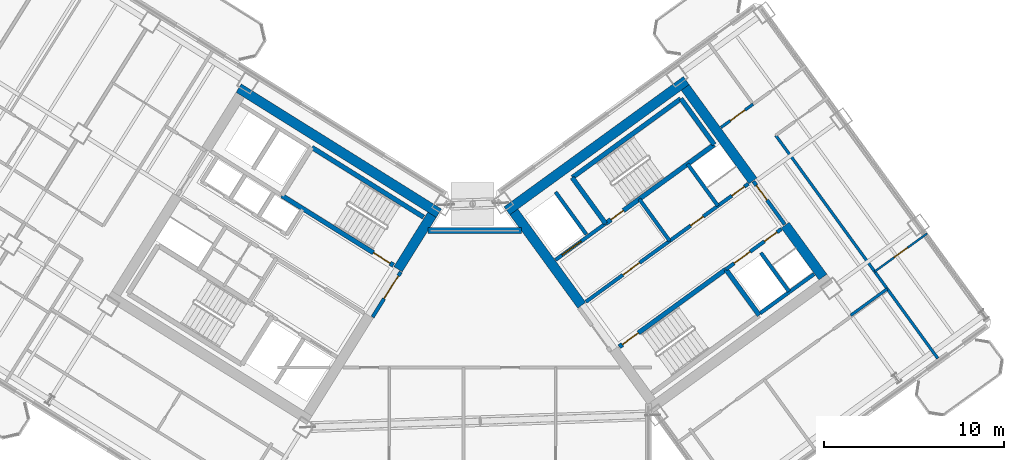
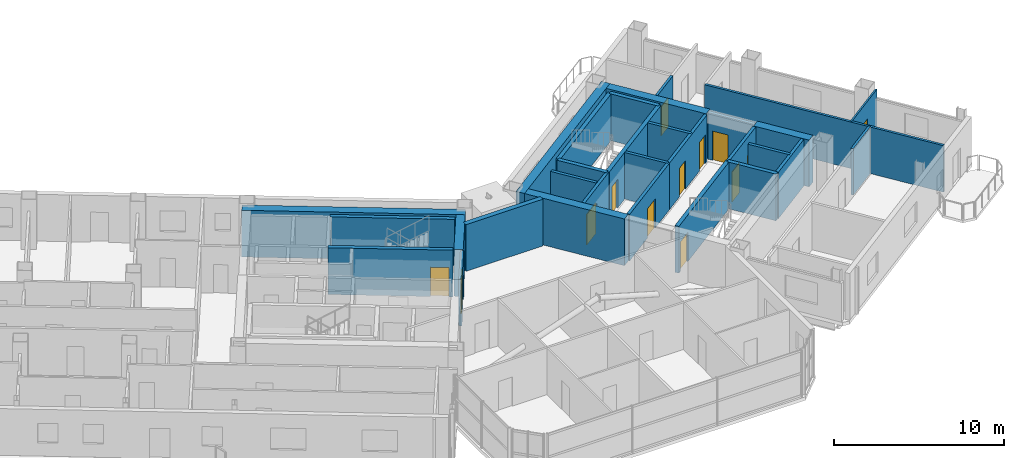
# One storey, part 20 of 29: 30 walls, 13 doors, 13 openings.
"""IFC4 building model written with IfcOpenShell, lengths in metres."""

from ifc_helpers import new_model, si_unit, direction, frame, frame_2d, origin, place, context, subcontext, project, spatial, rectangle, extrude, source, transform, mapped, material, layer, layer_set, type_object, element, fill, save


model = new_model("IFC4")

# Units and contexts
model_context = context("Model", 3, precision=1e-05, world=origin(), true_north=direction((0.0, 1.0)))
body_context = subcontext(model_context, "Body", "Model", "MODEL_VIEW")
ifc_project = project(units=[si_unit("LENGTHUNIT", "METRE"), si_unit("AREAUNIT", "SQUARE_METRE"), si_unit("VOLUMEUNIT", "CUBIC_METRE"), si_unit("PLANEANGLEUNIT", "RADIAN"), si_unit("MASSUNIT", "GRAM", prefix="KILO")], contexts=[model_context])

# Site, building, storey
site_placement = place(None, origin())
site = spatial("IfcSite", under=ifc_project, at=site_placement, CompositionType="ELEMENT")
building_placement = place(site_placement, origin())
building = spatial("IfcBuilding", under=site, at=building_placement, Name="Tlacorven Tower", CompositionType="ELEMENT")
storey_placement = place(building_placement, frame((0.0, 0.0, 151.5)))
storey = spatial("IfcBuildingStorey", under=building, at=storey_placement, Name="L38", CompositionType="ELEMENT", Elevation=151.5)

# Walls
ifc_material_1 = material(Name="Concrete C60/75", Category="concrete")
ifc_layer_1 = layer(ifc_material_1, 0.550048828125)
ifc_layer_set_1 = layer_set([ifc_layer_1], Name="Concrete C60/75")
wall_type_1 = type_object("IfcWallType", Name="WL-COR-550", PredefinedType="SHEAR", material=ifc_layer_set_1)
wall_1_placement = place(storey_placement, frame((40.572998046875, 24.010009765625, 0.0), z_axis=(0.0, 0.0, 1.0), x_axis=(-0.848047359947, 0.529920442413, 0.0)))
element("IfcWall", 1, at=wall_1_placement, inside=storey, type_object=wall_type_1, Name="L38 W core shear wall S1", PredefinedType="SHEAR", context=body_context, shape_type="SweptSolid", body=[
    extrude(rectangle(XDim=13.139892578125, YDim=0.550048828125, at=frame_2d((6.56982421875, 0.0))), origin(), (0.0, 0.0, 1.0), 3.35009765625),
])
wall_2_placement = place(storey_placement, frame((40.194091796875, 23.92236328125, 0.0), z_axis=(0.0, 0.0, 1.0), x_axis=(-0.529888438328, -0.848067357541, 0.0)))
element("IfcWall", 2, at=wall_2_placement, inside=storey, type_object=wall_type_1, Name="L38 W core end wall E1.1", PredefinedType="SHEAR", context=body_context, shape_type="SweptSolid", body=[
    extrude(rectangle(XDim=3.574951171875, YDim=0.550048828125, at=frame_2d((1.78759765625, 0.0))), origin(), (0.0, 0.0, 1.0), 3.35009765625),
])
wall_3_placement = place(storey_placement, frame((44.364990234375, 24.142333984375, 0.0), z_axis=(0.0, 0.0, 1.0), x_axis=(0.809024304885, 0.587775190107, 0.0)))
element("IfcWall", 3, at=wall_3_placement, inside=storey, type_object=wall_type_1, Name="L38 E core shear wall S2", PredefinedType="SHEAR", context=body_context, shape_type="SweptSolid", body=[
    extrude(rectangle(XDim=12.340087890625, YDim=0.550048828125, at=frame_2d((6.169921875, 0.0))), origin(), (0.0, 0.0, 1.0), 3.35009765625),
])
wall_4_placement = place(storey_placement, frame((48.525634765625, 18.883544921875, 0.0), z_axis=(0.0, 0.0, 1.0), x_axis=(-0.587764933797, 0.809031756236, 0.0)))
element("IfcWall", 4, at=wall_4_placement, inside=storey, type_object=wall_type_1, Name="L38 E core end wall E1.2", PredefinedType="SHEAR", context=body_context, shape_type="SweptSolid", body=[
    extrude(rectangle(XDim=6.425048828125, YDim=0.550048828125, at=frame_2d((3.21240234375, 0.0))), origin(), (0.0, 0.0, 1.0), 3.35009765625),
])
wall_5_placement = place(storey_placement, frame((61.9580078125, 20.453857421875, 0.0), z_axis=(0.0, 0.0, 1.0), x_axis=(-0.587802113096, 0.809004744015, 0.0)))
element("IfcWall", 5, at=wall_5_placement, inside=storey, type_object=wall_type_1, Name="L38 E core end wall E2.1", PredefinedType="SHEAR", context=body_context, shape_type="SweptSolid", body=[
    extrude(rectangle(XDim=3.574951171875, YDim=0.550048828125, at=frame_2d((1.78759765625, 0.0))), origin(), (0.0, 0.0, 1.0), 3.35009765625),
])
wall_6_placement = place(storey_placement, frame((58.06396484375, 25.8134765625, 0.0), z_axis=(0.0, 0.0, 1.0), x_axis=(-0.587764933797, 0.809031756236, 0.0)))
element("IfcWall", 6, at=wall_6_placement, inside=storey, type_object=wall_type_1, Name="L38 E core end wall E2.2", PredefinedType="SHEAR", context=body_context, shape_type="SweptSolid", body=[
    extrude(rectangle(XDim=6.425048828125, YDim=0.550048828125, at=frame_2d((3.21240234375, 0.0))), origin(), (0.0, 0.0, 1.0), 3.35009765625),
])
ifc_material_2 = material(Name="Gypsum plasterboard acoustic partition", Category="gypsum")
ifc_layer_2 = layer(ifc_material_2, 0.159912109375)
ifc_layer_set_2 = layer_set([ifc_layer_2], Name="Gypsum plasterboard acoustic partition")
wall_type_2 = type_object("IfcWallType", Name="WL-DEM-160", PredefinedType="PARTITIONING", material=ifc_layer_set_2)
wall_7_placement = place(storey_placement, frame((63.5068359375, 18.322021484375, 0.0), z_axis=(0.0, 0.0, 1.0), x_axis=(0.809034604122, 0.587761013791, 0.0)))
element("IfcWall", 7, at=wall_7_placement, inside=storey, type_object=wall_type_2, Name="L38 partition 86", PredefinedType="PARTITIONING", context=body_context, shape_type="SweptSolid", body=[
    extrude(rectangle(XDim=2.510009765625, YDim=0.159912109375, at=frame_2d((1.2548828125, 0.0))), origin(), (0.0, 0.0, 1.0), 3.340087890625),
])

# Wall, opening, door
wall_8_placement = place(storey_placement, frame((56.280517578125, 28.7822265625, 0.0), z_axis=(0.0, 0.0, 1.0), x_axis=(0.80902286611, 0.587777170458, 0.0)))
wall_8 = element("IfcWall", 8, at=wall_8_placement, inside=storey, type_object=wall_type_2, Name="L38 partition 87", PredefinedType="PARTITIONING", context=body_context, shape_type="SweptSolid", body=[
    extrude(rectangle(XDim=2.2080078125, YDim=0.159912109375, at=frame_2d((1.10400390625, 0.0))), origin(), (0.0, 0.0, 1.0), 3.340087890625),
])
opening_1_placement = place(wall_8_placement, frame((0.64794921875, 0.0, 0.0)))
opening_1 = element("IfcOpeningElement", 9, at=opening_1_placement, cuts=wall_8, Name="Opening D11", PredefinedType="OPENING", context=body_context, shape_type="SweptSolid", body=[
    extrude(rectangle(XDim=1.0, YDim=2.10009765625, at=frame_2d((0.5, 1.050048828125))), frame((0.0, 0.08984375, 0.0), z_axis=(0.0, -1.0, 0.0), x_axis=(1.0, 0.0, 0.0)), (0.0, 0.0, 1.0), 0.179931640625),
])
ifc_material_3 = material(Name="Fire-rated steel door assembly", Category="steel")
door_type_1 = type_object("IfcDoorType", Name="DR-FLT-FD60-1000", OperationType="NOTDEFINED", PredefinedType="DOOR", material=ifc_material_3)
shared_shape_1 = source(origin(), body_context, "Body", "SweptSolid", [
    extrude(rectangle(XDim=1.0, YDim=2.10009765625, at=frame_2d((0.5, 1.050048828125))), frame((0.0, 0.02490234375, 0.0), z_axis=(0.0, -1.0, 0.0), x_axis=(1.0, 0.0, 0.0)), (0.0, 0.0, 1.0), 0.050048828125),
])
door_1_placement = place(opening_1_placement, origin())
door_1 = element("IfcDoor", 10, at=door_1_placement, inside=storey, type_object=door_type_1, Name="L38 door 058", OperationType="SINGLE_SWING_LEFT", OverallHeight=2.10009765625, OverallWidth=1.0, PredefinedType="DOOR", context=body_context, shape_type="MappedRepresentation", body=[
    mapped(shared_shape_1, transform((0.0, 0.0, 0.0), scale=1.0)),
])
fill(opening_1, door_1)

# Walls
wall_9_placement = place(storey_placement, frame((68.35302734375, 15.922119140625, 0.0), z_axis=(0.0, 0.0, 1.0), x_axis=(-0.587782002009, 0.809019355834, 0.0)))
element("IfcWall", 11, at=wall_9_placement, inside=storey, type_object=wall_type_2, Name="L38 partition 88", PredefinedType="PARTITIONING", context=body_context, shape_type="SweptSolid", body=[
    extrude(rectangle(XDim=15.35009765625, YDim=0.159912109375, at=frame_2d((7.675048828125, 0.0))), origin(), (0.0, 0.0, 1.0), 3.340087890625),
])
ifc_material_4 = material(Name="Precast concrete C45/55", Category="concrete")
ifc_layer_3 = layer(ifc_material_4, 0.320068359375)
ifc_layer_set_3 = layer_set([ifc_layer_3], Name="Precast concrete C45/55")
wall_type_3 = type_object("IfcWallType", Name="WL-EXT-320", PredefinedType="STANDARD", material=ifc_layer_set_3)
wall_10_placement = place(storey_placement, frame((39.961181640625, 23.0400390625, 0.0), z_axis=(0.0, 0.0, 1.0), x_axis=(1.0, 0.0, 0.0)))
element("IfcWall", 12, at=wall_10_placement, inside=storey, type_object=wall_type_3, Name="L38 Masonry-Frame Recessed Facade Wall 4", PredefinedType="STANDARD", context=body_context, shape_type="SweptSolid", body=[
    extrude(rectangle(XDim=5.2109375, YDim=0.320068359375, at=frame_2d((2.60546875, 0.0))), origin(), (0.0, 0.0, 1.0), 3.35009765625),
])

# Wall, opening, door
ifc_material_5 = material(Name="Gypsum plasterboard partition", Category="gypsum")
ifc_layer_4 = layer(ifc_material_5, 0.110107421875)
ifc_layer_set_4 = layer_set([ifc_layer_4], Name="Gypsum plasterboard partition")
wall_type_4 = type_object("IfcWallType", Name="WL-INT-110", PredefinedType="PARTITIONING", material=ifc_layer_set_4)
wall_11_placement = place(storey_placement, frame((64.83935546875, 20.758544921875, 0.0), z_axis=(0.0, 0.0, 1.0), x_axis=(0.809013833588, 0.587789602718, 0.0)))
wall_11 = element("IfcWall", 13, at=wall_11_placement, inside=storey, type_object=wall_type_4, Name="L38 partition 93", PredefinedType="PARTITIONING", context=body_context, shape_type="SweptSolid", body=[
    extrude(rectangle(XDim=3.60986328125, YDim=0.110107421875, at=frame_2d((1.804931640625, 0.0))), origin(), (0.0, 0.0, 1.0), 3.340087890625),
])
opening_2_placement = place(wall_11_placement, frame((1.344970703125, 0.0, 0.0)))
opening_2 = element("IfcOpeningElement", 14, at=opening_2_placement, cuts=wall_11, Name="Opening D12", PredefinedType="OPENING", context=body_context, shape_type="SweptSolid", body=[
    extrude(rectangle(XDim=0.919921875, YDim=2.080078125, at=frame_2d((0.4599609375, 1.0400390625))), frame((0.0, 0.06494140625, 0.0), z_axis=(0.0, -1.0, 0.0), x_axis=(1.0, 0.0, 0.0)), (0.0, 0.0, 1.0), 0.130126953125),
])
ifc_material_6 = material(Name="Powder-coated aluminium and timber door", Category="wood")
door_type_2 = type_object("IfcDoorType", Name="DR-INT-ROOM-0920", OperationType="NOTDEFINED", PredefinedType="DOOR", material=ifc_material_6)
shared_shape_2 = source(origin(), body_context, "Body", "SweptSolid", [
    extrude(rectangle(XDim=0.919921875, YDim=2.080078125, at=frame_2d((0.4599609375, 1.0400390625))), frame((0.0, 0.02490234375, 0.0), z_axis=(0.0, -1.0, 0.0), x_axis=(1.0, 0.0, 0.0)), (0.0, 0.0, 1.0), 0.050048828125),
])
door_2_placement = place(opening_2_placement, origin())
door_2 = element("IfcDoor", 15, at=door_2_placement, inside=storey, type_object=door_type_2, Name="L38 door 062", OperationType="SINGLE_SWING_LEFT", OverallHeight=2.080078125, OverallWidth=0.919921875, PredefinedType="DOOR", context=body_context, shape_type="MappedRepresentation", body=[
    mapped(shared_shape_2, transform((0.0, 0.0, 0.0), scale=1.0)),
])
fill(opening_2, door_2)

ifc_material_7 = material(Name="Concrete C40/50", Category="concrete")
ifc_layer_5 = layer(ifc_material_7, 0.199951171875)
ifc_layer_set_5 = layer_set([ifc_layer_5], Name="Concrete C40/50")
wall_type_5 = type_object("IfcWallType", Name="WL-SHF-200", PredefinedType="STANDARD", material=ifc_layer_set_5)
wall_12_placement = place(storey_placement, frame((47.0654296875, 21.4072265625, 0.0), z_axis=(0.0, 0.0, 1.0), x_axis=(0.809032984992, 0.587763242466, 0.0)))
wall_12 = element("IfcWall", 16, at=wall_12_placement, inside=storey, type_object=wall_type_5, Name="L38 Core E Firefighting Lift Shaft Front Wall", PredefinedType="STANDARD", context=body_context, shape_type="SweptSolid", body=[
    extrude(rectangle(XDim=3.447998046875, YDim=0.199951171875, at=frame_2d((1.72412109375, 0.0))), origin(), (0.0, 0.0, 1.0), 3.340087890625),
])
opening_3_placement = place(wall_12_placement, frame((0.4580078125, 0.0, 0.0)))
opening_3 = element("IfcOpeningElement", 17, at=opening_3_placement, cuts=wall_12, Name="Opening LD03", PredefinedType="OPENING", context=body_context, shape_type="SweptSolid", body=[
    extrude(rectangle(XDim=1.300048828125, YDim=2.199951171875, at=frame_2d((0.64990234375, 1.10009765625))), frame((0.0, 0.10986328125, 0.0), z_axis=(0.0, -1.0, 0.0), x_axis=(1.0, 0.0, 0.0)), (0.0, 0.0, 1.0), 0.219970703125),
])
door_type_3 = type_object("IfcDoorType", Name="DR-LFT-SLID-1300", OperationType="DOUBLE_DOOR_SLIDING", PredefinedType="DOOR", material=ifc_material_3)
shared_shape_3 = source(origin(), body_context, "Body", "SweptSolid", [
    extrude(rectangle(XDim=1.300048828125, YDim=2.199951171875, at=frame_2d((0.64990234375, 1.10009765625))), frame((0.0, 0.02490234375, 0.0), z_axis=(0.0, -1.0, 0.0), x_axis=(1.0, 0.0, 0.0)), (0.0, 0.0, 1.0), 0.050048828125),
])
door_3_placement = place(opening_3_placement, origin())
door_3 = element("IfcDoor", 18, at=door_3_placement, inside=storey, type_object=door_type_3, Name="L38 Lift FFL-E1 Sliding Landing Door", OperationType="DOUBLE_DOOR_SLIDING", OverallHeight=2.199951171875, OverallWidth=1.300048828125, PredefinedType="DOOR", context=body_context, shape_type="MappedRepresentation", body=[
    mapped(shared_shape_3, transform((0.0, 0.0, 0.0), scale=1.0)),
])
fill(opening_3, door_3)

wall_13_placement = place(storey_placement, frame((48.75830078125, 19.0771484375, 0.0), z_axis=(0.0, 0.0, 1.0), x_axis=(0.809005065155, 0.587801671104, 0.0)))
wall_13 = element("IfcWall", 19, at=wall_13_placement, inside=storey, type_object=wall_type_5, Name="L38 Core E Smoke Lobby Wall", PredefinedType="STANDARD", context=body_context, shape_type="SweptSolid", body=[
    extrude(rectangle(XDim=5.767822265625, YDim=0.199951171875, at=frame_2d((2.8837890625, 0.0))), origin(), (0.0, 0.0, 1.0), 3.340087890625),
])
opening_4_placement = place(wall_13_placement, frame((2.548095703125, 0.0, 0.0)))
opening_4 = element("IfcOpeningElement", 20, at=opening_4_placement, cuts=wall_13, Name="Opening D09", PredefinedType="OPENING", context=body_context, shape_type="SweptSolid", body=[
    extrude(rectangle(XDim=1.14990234375, YDim=2.10009765625, at=frame_2d((0.574951171875, 1.050048828125))), frame((0.0, 0.10986328125, 0.0), z_axis=(0.0, -1.0, 0.0), x_axis=(1.0, 0.0, 0.0)), (0.0, 0.0, 1.0), 0.219970703125),
])
door_type_4 = type_object("IfcDoorType", Name="DR-FFL-FD60-1150", OperationType="NOTDEFINED", PredefinedType="DOOR", material=ifc_material_3)
shared_shape_4 = source(origin(), body_context, "Body", "SweptSolid", [
    extrude(rectangle(XDim=1.14990234375, YDim=2.10009765625, at=frame_2d((0.574951171875, 1.050048828125))), frame((0.0, 0.02490234375, 0.0), z_axis=(0.0, -1.0, 0.0), x_axis=(1.0, 0.0, 0.0)), (0.0, 0.0, 1.0), 0.050048828125),
])
door_4_placement = place(opening_4_placement, origin())
door_4 = element("IfcDoor", 21, at=door_4_placement, inside=storey, type_object=door_type_4, Name="L38 Firefighting Lobby E Fire Door", OperationType="SINGLE_SWING_RIGHT", OverallHeight=2.10009765625, OverallWidth=1.14990234375, PredefinedType="DOOR", context=body_context, shape_type="MappedRepresentation", body=[
    mapped(shared_shape_4, transform((0.0, 0.0, 0.0), scale=1.0)),
])
fill(opening_4, door_4)

# Wall, openings, doors
wall_14_placement = place(storey_placement, frame((56.552978515625, 20.884033203125, 0.0), z_axis=(0.0, 0.0, 1.0), x_axis=(0.809023564264, 0.58777620951, 0.0)))
wall_14 = element("IfcWall", 22, at=wall_14_placement, inside=storey, type_object=wall_type_5, Name="L38 Core E South Lift Shaft Wall", PredefinedType="STANDARD", context=body_context, shape_type="SweptSolid", body=[
    extrude(rectangle(XDim=3.818115234375, YDim=0.199951171875, at=frame_2d((1.9091796875, 0.0))), origin(), (0.0, 0.0, 1.0), 3.340087890625),
])
opening_5_placement = place(wall_14_placement, frame((0.570068359375, 0.0, 0.0)))
opening_5 = element("IfcOpeningElement", 23, at=opening_5_placement, cuts=wall_14, Name="Opening LD01", PredefinedType="OPENING", context=body_context, shape_type="SweptSolid", body=[
    extrude(rectangle(XDim=1.10009765625, YDim=2.14990234375, at=frame_2d((0.550048828125, 1.074951171875))), frame((0.0, 0.10986328125, 0.0), z_axis=(0.0, -1.0, 0.0), x_axis=(1.0, 0.0, 0.0)), (0.0, 0.0, 1.0), 0.219970703125),
])
opening_6_placement = place(wall_14_placement, frame((2.64990234375, 0.0, 0.0)))
opening_6 = element("IfcOpeningElement", 24, at=opening_6_placement, cuts=wall_14, Name="Opening D19", PredefinedType="OPENING", context=body_context, shape_type="SweptSolid", body=[
    extrude(rectangle(XDim=0.860107421875, YDim=2.050048828125, at=frame_2d((0.43017578125, 1.02490234375))), frame((0.0, 0.10986328125, 0.0), z_axis=(0.0, -1.0, 0.0), x_axis=(1.0, 0.0, 0.0)), (0.0, 0.0, 1.0), 0.219970703125),
])
door_type_5 = type_object("IfcDoorType", Name="DR-RSR-FD60-0860", OperationType="NOTDEFINED", PredefinedType="DOOR", material=ifc_material_3)
shared_shape_5 = source(origin(), body_context, "Body", "SweptSolid", [
    extrude(rectangle(XDim=0.860107421875, YDim=2.050048828125, at=frame_2d((0.43017578125, 1.02490234375))), frame((0.0, 0.02490234375, 0.0), z_axis=(0.0, -1.0, 0.0), x_axis=(1.0, 0.0, 0.0)), (0.0, 0.0, 1.0), 0.050048828125),
])
door_5_placement = place(opening_6_placement, origin())
door_5 = element("IfcDoor", 25, at=door_5_placement, inside=storey, type_object=door_type_5, Name="L38 Smoke Extract Riser Access Door", OperationType="SINGLE_SWING_LEFT", OverallHeight=2.050048828125, OverallWidth=0.860107421875, PredefinedType="DOOR", context=body_context, shape_type="MappedRepresentation", body=[
    mapped(shared_shape_5, transform((0.0, 0.0, 0.0), scale=1.0)),
])
fill(opening_6, door_5)
door_type_6 = type_object("IfcDoorType", Name="DR-LFT-SLID-1100", OperationType="DOUBLE_DOOR_SLIDING", PredefinedType="DOOR", material=ifc_material_3)
shared_shape_6 = source(origin(), body_context, "Body", "SweptSolid", [
    extrude(rectangle(XDim=1.10009765625, YDim=2.14990234375, at=frame_2d((0.550048828125, 1.074951171875))), frame((0.0, 0.02490234375, 0.0), z_axis=(0.0, -1.0, 0.0), x_axis=(1.0, 0.0, 0.0)), (0.0, 0.0, 1.0), 0.050048828125),
])
door_6_placement = place(opening_5_placement, origin())
door_6 = element("IfcDoor", 26, at=door_6_placement, inside=storey, type_object=door_type_6, Name="L38 Lift PL-M4 Sliding Landing Door", OperationType="DOUBLE_DOOR_SLIDING", OverallHeight=2.14990234375, OverallWidth=1.10009765625, PredefinedType="DOOR", context=body_context, shape_type="MappedRepresentation", body=[
    mapped(shared_shape_6, transform((0.0, 0.0, 0.0), scale=1.0)),
])
fill(opening_5, door_6)

# Walls
wall_15_placement = place(storey_placement, frame((48.78564453125, 22.830078125, 0.0), z_axis=(0.0, 0.0, 1.0), x_axis=(-0.587783856777, 0.809018008275, 0.0)))
element("IfcWall", 27, at=wall_15_placement, inside=storey, type_object=wall_type_5, Name="L38 partition 36", PredefinedType="STANDARD", context=body_context, shape_type="SweptSolid", body=[
    extrude(rectangle(XDim=2.919921875, YDim=0.199951171875, at=frame_2d((1.4599609375, 0.0))), origin(), (0.0, 0.0, 1.0), 3.340087890625),
])
wall_16_placement = place(storey_placement, frame((60.066650390625, 19.654541015625, 0.0), z_axis=(0.0, 0.0, 1.0), x_axis=(-0.587800520745, 0.809005900975, 0.0)))
element("IfcWall", 28, at=wall_16_placement, inside=storey, type_object=wall_type_5, Name="L38 partition 37", PredefinedType="STANDARD", context=body_context, shape_type="SweptSolid", body=[
    extrude(rectangle(XDim=2.659912109375, YDim=0.199951171875, at=frame_2d((1.330078125, 0.0))), origin(), (0.0, 0.0, 1.0), 3.340087890625),
])
wall_17_placement = place(storey_placement, frame((58.47216796875, 18.446533203125, 0.0), z_axis=(0.0, 0.0, 1.0), x_axis=(0.809018631237, 0.587782999339, 0.0)))
element("IfcWall", 29, at=wall_17_placement, inside=storey, type_object=wall_type_5, Name="L38 partition 39", PredefinedType="STANDARD", context=body_context, shape_type="SweptSolid", body=[
    extrude(rectangle(XDim=3.697998046875, YDim=0.199951171875, at=frame_2d((1.84912109375, 0.0))), origin(), (0.0, 0.0, 1.0), 3.340087890625),
])
wall_18_placement = place(storey_placement, frame((53.424560546875, 22.467529296875, 0.0), z_axis=(0.0, 0.0, 1.0), x_axis=(-0.5877230039, 0.809062216821, 0.0)))
element("IfcWall", 30, at=wall_18_placement, inside=storey, type_object=wall_type_5, Name="L38 partition 41", PredefinedType="STANDARD", context=body_context, shape_type="SweptSolid", body=[
    extrude(rectangle(XDim=2.8798828125, YDim=0.199951171875, at=frame_2d((1.43994140625, 0.0))), origin(), (0.0, 0.0, 1.0), 3.340087890625),
])
wall_19_placement = place(storey_placement, frame((56.110595703125, 24.4189453125, 0.0), z_axis=(0.0, 0.0, 1.0), x_axis=(-0.58777848983, 0.809021907548, 0.0)))
element("IfcWall", 31, at=wall_19_placement, inside=storey, type_object=wall_type_5, Name="L38 partition 42", PredefinedType="STANDARD", context=body_context, shape_type="SweptSolid", body=[
    extrude(rectangle(XDim=2.880126953125, YDim=0.199951171875, at=frame_2d((1.43994140625, 0.0))), origin(), (0.0, 0.0, 1.0), 3.340087890625),
])

# Wall, openings, doors
wall_20_placement = place(storey_placement, frame((53.424560546875, 22.467529296875, 0.0), z_axis=(0.0, 0.0, 1.0), x_axis=(0.809024377198, 0.587775090574, 0.0)))
wall_20 = element("IfcWall", 32, at=wall_20_placement, inside=storey, type_object=wall_type_5, Name="L38 Core E North Service Wall", PredefinedType="STANDARD", context=body_context, shape_type="SweptSolid", body=[
    extrude(rectangle(XDim=5.41796875, YDim=0.199951171875, at=frame_2d((2.708984375, 0.0))), origin(), (0.0, 0.0, 1.0), 3.340087890625),
])
opening_7_placement = place(wall_20_placement, frame((4.280029296875, 0.0, 0.0)))
opening_7 = element("IfcOpeningElement", 33, at=opening_7_placement, cuts=wall_20, Name="Opening D19", PredefinedType="OPENING", context=body_context, shape_type="SweptSolid", body=[
    extrude(rectangle(XDim=0.860107421875, YDim=2.050048828125, at=frame_2d((0.43017578125, 1.02490234375))), frame((0.0, 0.10986328125, 0.0), z_axis=(0.0, -1.0, 0.0), x_axis=(1.0, 0.0, 0.0)), (0.0, 0.0, 1.0), 0.219970703125),
])
opening_8_placement = place(wall_20_placement, frame((1.449951171875, 0.0, 0.0)))
opening_8 = element("IfcOpeningElement", 34, at=opening_8_placement, cuts=wall_20, Name="Opening D19", PredefinedType="OPENING", context=body_context, shape_type="SweptSolid", body=[
    extrude(rectangle(XDim=0.860107421875, YDim=2.050048828125, at=frame_2d((0.43017578125, 1.02490234375))), frame((0.0, 0.10986328125, 0.0), z_axis=(0.0, -1.0, 0.0), x_axis=(1.0, 0.0, 0.0)), (0.0, 0.0, 1.0), 0.219970703125),
])
door_7_placement = place(opening_7_placement, frame((0.860107421875, 0.0, 0.0), z_axis=(0.0, 0.0, 1.0), x_axis=(-1.0, 0.0, 0.0)))
door_7 = element("IfcDoor", 35, at=door_7_placement, inside=storey, type_object=door_type_5, Name="L38 Electrical Riser Access Door E", OperationType="SINGLE_SWING_RIGHT", OverallHeight=2.050048828125, OverallWidth=0.860107421875, PredefinedType="DOOR", context=body_context, shape_type="MappedRepresentation", body=[
    mapped(shared_shape_5, transform((0.0, 0.0, 0.0), scale=1.0)),
])
fill(opening_7, door_7)
door_8_placement = place(opening_8_placement, frame((0.860107421875, 0.0, 0.0), z_axis=(0.0, 0.0, 1.0), x_axis=(-1.0, 0.0, 0.0)))
door_8 = element("IfcDoor", 36, at=door_8_placement, inside=storey, type_object=door_type_5, Name="L38 Housekeeping Linen Access Door E", OperationType="SINGLE_SWING_LEFT", OverallHeight=2.050048828125, OverallWidth=0.860107421875, PredefinedType="DOOR", context=body_context, shape_type="MappedRepresentation", body=[
    mapped(shared_shape_5, transform((0.0, 0.0, 0.0), scale=1.0)),
])
fill(opening_8, door_8)

# Wall, opening, door
wall_21_placement = place(storey_placement, frame((38.451416015625, 20.737060546875, 0.0), z_axis=(0.0, 0.0, 1.0), x_axis=(-0.529924799939, -0.848044637038, 0.0)))
wall_21 = element("IfcWall", 37, at=wall_21_placement, inside=storey, type_object=wall_type_5, Name="L38 partition 73", PredefinedType="STANDARD", context=body_context, shape_type="SweptSolid", body=[
    extrude(rectangle(XDim=2.9599609375, YDim=0.199951171875, at=frame_2d((1.47998046875, 0.0))), origin(), (0.0, 0.0, 1.0), 3.340087890625),
])
opening_9_placement = place(wall_21_placement, frame((0.25, 0.0, 0.0)))
opening_9 = element("IfcOpeningElement", 38, at=opening_9_placement, cuts=wall_21, Name="Opening D10", PredefinedType="OPENING", context=body_context, shape_type="SweptSolid", body=[
    extrude(rectangle(XDim=1.5, YDim=2.14990234375, at=frame_2d((0.75, 1.074951171875))), frame((0.0, 0.10986328125, 0.0), z_axis=(0.0, -1.0, 0.0), x_axis=(1.0, 0.0, 0.0)), (0.0, 0.0, 1.0), 0.219970703125),
])
door_type_7 = type_object("IfcDoorType", Name="DR-LOB-FD60-1500", OperationType="DOUBLE_DOOR_SINGLE_SWING", PredefinedType="DOOR", material=ifc_material_3)
shared_shape_7 = source(origin(), body_context, "Body", "SweptSolid", [
    extrude(rectangle(XDim=1.5, YDim=2.14990234375, at=frame_2d((0.75, 1.074951171875))), frame((0.0, 0.02490234375, 0.0), z_axis=(0.0, -1.0, 0.0), x_axis=(1.0, 0.0, 0.0)), (0.0, 0.0, 1.0), 0.050048828125),
])
door_9_placement = place(opening_9_placement, frame((1.5, 0.0, 0.0), z_axis=(0.0, 0.0, 1.0), x_axis=(-1.0, 0.0, 0.0)))
door_9 = element("IfcDoor", 39, at=door_9_placement, inside=storey, type_object=door_type_7, Name="L38 door 046", OperationType="DOUBLE_DOOR_SINGLE_SWING", OverallHeight=2.14990234375, OverallWidth=1.5, PredefinedType="DOOR", context=body_context, shape_type="MappedRepresentation", body=[
    mapped(shared_shape_7, transform((0.0, 0.0, 0.0), scale=1.0)),
])
fill(opening_9, door_9)

wall_22_placement = place(storey_placement, frame((59.827392578125, 23.386474609375, 0.0), z_axis=(0.0, 0.0, 1.0), x_axis=(-0.587803840107, 0.809003489211, 0.0)))
wall_22 = element("IfcWall", 40, at=wall_22_placement, inside=storey, type_object=wall_type_5, Name="L38 partition 85", PredefinedType="STANDARD", context=body_context, shape_type="SweptSolid", body=[
    extrude(rectangle(XDim=2.960205078125, YDim=0.199951171875, at=frame_2d((1.47998046875, 0.0))), origin(), (0.0, 0.0, 1.0), 3.340087890625),
])
opening_10_placement = place(wall_22_placement, frame((1.679931640625, 0.0, 0.0)))
opening_10 = element("IfcOpeningElement", 41, at=opening_10_placement, cuts=wall_22, Name="Opening D11", PredefinedType="OPENING", context=body_context, shape_type="SweptSolid", body=[
    extrude(rectangle(XDim=1.0, YDim=2.10009765625, at=frame_2d((0.5, 1.050048828125))), frame((0.0, 0.10986328125, 0.0), z_axis=(0.0, -1.0, 0.0), x_axis=(1.0, 0.0, 0.0)), (0.0, 0.0, 1.0), 0.219970703125),
])
door_10_placement = place(opening_10_placement, origin())
door_10 = element("IfcDoor", 42, at=door_10_placement, inside=storey, type_object=door_type_1, Name="L38 door 059", OperationType="SINGLE_SWING_RIGHT", OverallHeight=2.10009765625, OverallWidth=1.0, PredefinedType="DOOR", context=body_context, shape_type="MappedRepresentation", body=[
    mapped(shared_shape_1, transform((0.0, 0.0, 0.0), scale=1.0)),
])
fill(opening_10, door_10)

# Wall
ifc_material_8 = material(Name="Concrete C50/60", Category="concrete")
ifc_layer_6 = layer(ifc_material_8, 0.260009765625)
ifc_layer_set_6 = layer_set([ifc_layer_6], Name="Concrete C50/60")
wall_type_6 = type_object("IfcWallType", Name="WL-STW-260", PredefinedType="SHEAR", material=ifc_layer_set_6)
wall_23_placement = place(storey_placement, frame((39.720947265625, 23.787841796875, 0.0), z_axis=(0.0, 0.0, 1.0), x_axis=(-0.848054434086, 0.529909121291, 0.0)))
element("IfcWall", 43, at=wall_23_placement, inside=storey, type_object=wall_type_6, Name="L38 Stair W2 Far Shear Wall", PredefinedType="SHEAR", context=body_context, shape_type="SweptSolid", body=[
    extrude(rectangle(XDim=7.330078125, YDim=0.260009765625, at=frame_2d((3.6650390625, 0.0))), origin(), (0.0, 0.0, 1.0), 3.35009765625),
])

# Wall, opening, door
wall_24_placement = place(storey_placement, frame((38.04638671875, 21.10791015625, 0.0), z_axis=(0.0, 0.0, 1.0), x_axis=(-0.848054434086, 0.529909121291, 0.0)))
wall_24 = element("IfcWall", 44, at=wall_24_placement, inside=storey, type_object=wall_type_6, Name="L38 Stair W2 Lobby Shear Wall", PredefinedType="SHEAR", context=body_context, shape_type="SweptSolid", body=[
    extrude(rectangle(XDim=7.330078125, YDim=0.260009765625, at=frame_2d((3.6650390625, 0.0))), origin(), (0.0, 0.0, 1.0), 3.35009765625),
])
opening_11_placement = place(wall_24_placement, frame((0.219970703125, 0.0, 0.0)))
opening_11 = element("IfcOpeningElement", 45, at=opening_11_placement, cuts=wall_24, Name="Opening D07", PredefinedType="OPENING", context=body_context, shape_type="SweptSolid", body=[
    extrude(rectangle(XDim=1.10009765625, YDim=2.10009765625, at=frame_2d((0.550048828125, 1.050048828125))), frame((0.0, 0.14013671875, 0.0), z_axis=(0.0, -1.0, 0.0), x_axis=(1.0, 0.0, 0.0)), (0.0, 0.0, 1.0), 0.280029296875),
])
door_type_8 = type_object("IfcDoorType", Name="DR-STR-FD90-1100", OperationType="NOTDEFINED", PredefinedType="DOOR", material=ifc_material_3)
shared_shape_8 = source(origin(), body_context, "Body", "SweptSolid", [
    extrude(rectangle(XDim=1.10009765625, YDim=2.10009765625, at=frame_2d((0.550048828125, 1.050048828125))), frame((0.0, 0.02490234375, 0.0), z_axis=(0.0, -1.0, 0.0), x_axis=(1.0, 0.0, 0.0)), (0.0, 0.0, 1.0), 0.050048828125),
])
door_11_placement = place(opening_11_placement, origin())
door_11 = element("IfcDoor", 46, at=door_11_placement, inside=storey, type_object=door_type_8, Name="L38 Exit Stair W2 Fire Door", OperationType="SINGLE_SWING_LEFT", OverallHeight=2.10009765625, OverallWidth=1.10009765625, PredefinedType="DOOR", context=body_context, shape_type="MappedRepresentation", body=[
    mapped(shared_shape_8, transform((0.0, 0.0, 0.0), scale=1.0)),
])
fill(opening_11, door_11)

# Wall
wall_25_placement = place(storey_placement, frame((48.005615234375, 25.996337890625, 0.0), z_axis=(0.0, 0.0, 1.0), x_axis=(0.80901903764, 0.587782439969, 0.0)))
element("IfcWall", 47, at=wall_25_placement, inside=storey, type_object=wall_type_6, Name="L38 Stair E1 Far Shear Wall", PredefinedType="SHEAR", context=body_context, shape_type="SweptSolid", body=[
    extrude(rectangle(XDim=7.4599609375, YDim=0.260009765625, at=frame_2d((3.72998046875, 0.0))), origin(), (0.0, 0.0, 1.0), 3.35009765625),
])

# Wall, opening, door
wall_26_placement = place(storey_placement, frame((49.863037109375, 23.439697265625, 0.0), z_axis=(0.0, 0.0, 1.0), x_axis=(0.809003474932, 0.587803859759, 0.0)))
wall_26 = element("IfcWall", 48, at=wall_26_placement, inside=storey, type_object=wall_type_6, Name="L38 Stair E1 Lobby Shear Wall", PredefinedType="SHEAR", context=body_context, shape_type="SweptSolid", body=[
    extrude(rectangle(XDim=7.4599609375, YDim=0.260009765625, at=frame_2d((3.72998046875, 0.0))), origin(), (0.0, 0.0, 1.0), 3.35009765625),
])
opening_12_placement = place(wall_26_placement, frame((0.360107421875, 0.0, 0.0)))
opening_12 = element("IfcOpeningElement", 49, at=opening_12_placement, cuts=wall_26, Name="Opening D19", PredefinedType="OPENING", context=body_context, shape_type="SweptSolid", body=[
    extrude(rectangle(XDim=0.860107421875, YDim=2.050048828125, at=frame_2d((0.43017578125, 1.02490234375))), frame((0.0, 0.14013671875, 0.0), z_axis=(0.0, -1.0, 0.0), x_axis=(1.0, 0.0, 0.0)), (0.0, 0.0, 1.0), 0.280029296875),
])
door_12_placement = place(opening_12_placement, frame((0.860107421875, 0.0, 0.0), z_axis=(0.0, 0.0, 1.0), x_axis=(-1.0, 0.0, 0.0)))
door_12 = element("IfcDoor", 50, at=door_12_placement, inside=storey, type_object=door_type_5, Name="L38 Exit Stair E1 Fire Door", OperationType="SINGLE_SWING_LEFT", OverallHeight=2.050048828125, OverallWidth=0.860107421875, PredefinedType="DOOR", context=body_context, shape_type="MappedRepresentation", body=[
    mapped(shared_shape_5, transform((0.0, 0.0, 0.0), scale=1.0)),
])
fill(opening_12, door_12)

# Walls
wall_27_placement = place(storey_placement, frame((49.85498046875, 23.433837890625, 0.0), z_axis=(0.0, 0.0, 1.0), x_axis=(-0.58776738483, 0.809029975545, 0.0)))
element("IfcWall", 51, at=wall_27_placement, inside=storey, type_object=wall_type_6, Name="L38 Stair E1 West Shear Wall", PredefinedType="SHEAR", context=body_context, shape_type="SweptSolid", body=[
    extrude(rectangle(XDim=3.16015625, YDim=0.260009765625, at=frame_2d((1.580078125, 0.0))), origin(), (0.0, 0.0, 1.0), 3.35009765625),
])
wall_28_placement = place(storey_placement, frame((55.906494140625, 27.83056640625, 0.0), z_axis=(0.0, 0.0, 1.0), x_axis=(-0.587804123638, 0.809003283204, 0.0)))
element("IfcWall", 52, at=wall_28_placement, inside=storey, type_object=wall_type_6, Name="L38 Stair E1 East Shear Wall", PredefinedType="SHEAR", context=body_context, shape_type="SweptSolid", body=[
    extrude(rectangle(XDim=3.159912109375, YDim=0.260009765625, at=frame_2d((1.580078125, 0.0))), origin(), (0.0, 0.0, 1.0), 3.35009765625),
])

# Wall, opening, door
wall_29_placement = place(storey_placement, frame((50.61474609375, 16.569580078125, 0.0), z_axis=(0.0, 0.0, 1.0), x_axis=(0.809028366311, 0.587769599847, 0.0)))
wall_29 = element("IfcWall", 53, at=wall_29_placement, inside=storey, type_object=wall_type_6, Name="L38 Stair E2 Lobby Shear Wall", PredefinedType="SHEAR", context=body_context, shape_type="SweptSolid", body=[
    extrude(rectangle(XDim=7.330078125, YDim=0.260009765625, at=frame_2d((3.6650390625, 0.0))), origin(), (0.0, 0.0, 1.0), 3.35009765625),
])
opening_13_placement = place(wall_29_placement, frame((0.219970703125, 0.0, 0.0)))
opening_13 = element("IfcOpeningElement", 54, at=opening_13_placement, cuts=wall_29, Name="Opening D07", PredefinedType="OPENING", context=body_context, shape_type="SweptSolid", body=[
    extrude(rectangle(XDim=1.10009765625, YDim=2.10009765625, at=frame_2d((0.550048828125, 1.050048828125))), frame((0.0, 0.14013671875, 0.0), z_axis=(0.0, -1.0, 0.0), x_axis=(1.0, 0.0, 0.0)), (0.0, 0.0, 1.0), 0.280029296875),
])
door_13_placement = place(opening_13_placement, origin())
door_13 = element("IfcDoor", 55, at=door_13_placement, inside=storey, type_object=door_type_8, Name="L38 Exit Stair E2 Fire Door", OperationType="SINGLE_SWING_LEFT", OverallHeight=2.10009765625, OverallWidth=1.10009765625, PredefinedType="DOOR", context=body_context, shape_type="MappedRepresentation", body=[
    mapped(shared_shape_8, transform((0.0, 0.0, 0.0), scale=1.0)),
])
fill(opening_13, door_13)

# Wall
wall_30_placement = place(storey_placement, frame((58.410400390625, 18.327392578125, 0.0), z_axis=(0.0, 0.0, 1.0), x_axis=(-0.58776738483, 0.809029975545, 0.0)))
element("IfcWall", 56, at=wall_30_placement, inside=storey, type_object=wall_type_6, Name="L38 Stair E2 East Shear Wall", PredefinedType="SHEAR", context=body_context, shape_type="SweptSolid", body=[
    extrude(rectangle(XDim=3.16015625, YDim=0.260009765625, at=frame_2d((1.580078125, 0.0))), origin(), (0.0, 0.0, 1.0), 3.35009765625),
])

save(model, "model.ifc")
